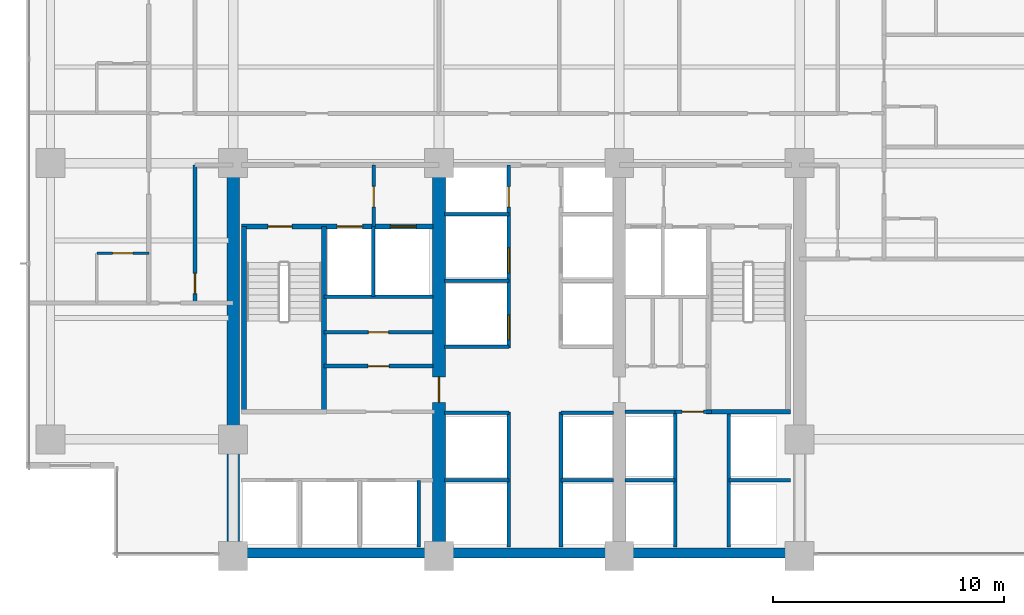
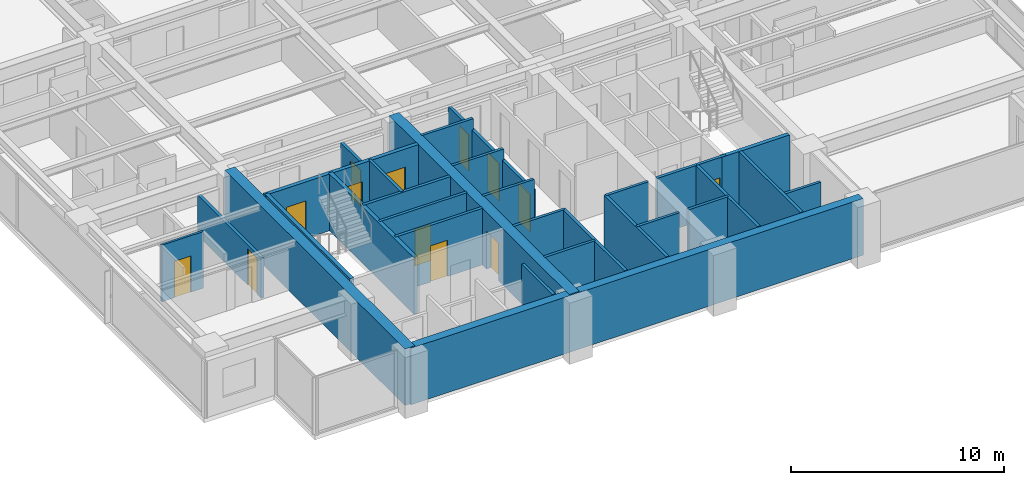
# One storey, part 8 of 17: 31 walls, 13 doors, 13 openings.
"""IFC4 building model written with IfcOpenShell, lengths in metres."""

from ifc_helpers import new_model, si_unit, direction, frame, frame_2d, origin, place, context, subcontext, project, spatial, rectangle, extrude, material, layer, layer_set, type_object, element, fill, save


model = new_model("IFC4")

# Units and contexts
model_context = context("Model", 3, precision=1e-05, world=origin(), true_north=direction((0.0, 1.0)))
body_context = subcontext(model_context, "Body", "Model", "MODEL_VIEW")
ifc_project = project(units=[si_unit("LENGTHUNIT", "METRE"), si_unit("AREAUNIT", "SQUARE_METRE"), si_unit("VOLUMEUNIT", "CUBIC_METRE"), si_unit("PLANEANGLEUNIT", "RADIAN"), si_unit("MASSUNIT", "GRAM", prefix="KILO")], contexts=[model_context])

# Site, building, storey
site_placement = place(None, origin())
site = spatial("IfcSite", under=ifc_project, at=site_placement, CompositionType="ELEMENT")
building_placement = place(site_placement, origin())
building = spatial("IfcBuilding", under=site, at=building_placement, Name="Qalmaran Belvedere Hotel", CompositionType="ELEMENT")
storey_placement = place(building_placement, frame((0.0, 0.0, 88.199951171875)))
storey = spatial("IfcBuildingStorey", under=building, at=storey_placement, Name="L21", CompositionType="ELEMENT", Elevation=88.199951171875)

# Wall
ifc_material_1 = material(Name="Concrete C60/75", Category="concrete")
ifc_layer_1 = layer(ifc_material_1, 0.550048828125, Name="Concrete C60/75")
ifc_layer_set_1 = layer_set([ifc_layer_1], Name="Concrete C60/75")
wall_type_1 = type_object("IfcWallType", Name="WL-CORE-550-C60", PredefinedType="SHEAR", material=ifc_layer_set_1)
wall_1_placement = place(storey_placement, frame((20.300048828125, 3.5, 0.0), z_axis=(0.0, 0.0, 1.0), x_axis=(0.0, 1.0, 0.0)))
element("IfcWall", 1, at=wall_1_placement, inside=storey, type_object=wall_type_1, Name="L21 West Core Shear Wall", PredefinedType="SHEAR", context=body_context, shape_type="SweptSolid", body=[
    extrude(rectangle(XDim=16.89990234375, YDim=0.550048828125, at=frame_2d((8.449951171875, 0.0))), origin(), (0.0, 0.0, 1.0), 3.239990234375),
])

# Wall, opening, door
wall_2_placement = place(storey_placement, frame((29.199951171875, 3.5, 0.0), z_axis=(0.0, 0.0, 1.0), x_axis=(0.0, 1.0, 0.0)))
wall_2 = element("IfcWall", 2, at=wall_2_placement, inside=storey, type_object=wall_type_1, Name="L21 Core West Spine Shear Wall", PredefinedType="SHEAR", context=body_context, shape_type="SweptSolid", body=[
    extrude(rectangle(XDim=16.89990234375, YDim=0.550048828125, at=frame_2d((8.449951171875, 0.0))), origin(), (0.0, 0.0, 1.0), 3.239990234375),
])
opening_1_placement = place(wall_2_placement, frame((7.75, 0.0, 0.0), z_axis=(0.0, 0.0, 1.0), x_axis=(-1.0, 0.0, 0.0)))
opening_1 = element("IfcOpeningElement", 3, at=opening_1_placement, cuts=wall_2, Name="Opening FD90", PredefinedType="OPENING", context=body_context, shape_type="SweptSolid", body=[
    extrude(rectangle(XDim=1.10009765625, YDim=2.14990234375, at=frame_2d((0.550048828125, 1.074951171875))), frame((0.0, 0.28515625, 0.0), z_axis=(0.0, -1.0, 0.0), x_axis=(1.0, 0.0, 0.0)), (0.0, 0.0, 1.0), 0.570068359375),
])
ifc_material_2 = material(Name="Steel S355JR", Category="steel")
door_type_1 = type_object("IfcDoorType", Name="DR-FD90-1100X2150", OperationType="NOTDEFINED", PredefinedType="DOOR", material=ifc_material_2)
door_1_placement = place(opening_1_placement, origin())
door_1 = element("IfcDoor", 4, at=door_1_placement, inside=storey, type_object=door_type_1, Name="L21 Core West Cross-Lobby Door", OperationType="SINGLE_SWING_LEFT", OverallHeight=2.14990234375, OverallWidth=1.10009765625, PredefinedType="DOOR", context=body_context, shape_type="SweptSolid", body=[
    extrude(rectangle(XDim=1.10009765625, YDim=2.14990234375, at=frame_2d((0.550048828125, 1.074951171875))), frame((0.0, 0.02490234375, 0.0), z_axis=(0.0, -1.0, 0.0), x_axis=(1.0, 0.0, 0.0)), (0.0, 0.0, 1.0), 0.050048828125),
])
fill(opening_1, door_1)

# Wall
ifc_material_3 = material(Name="Concrete C50/60", Category="concrete")
ifc_layer_2 = layer(ifc_material_3, 0.43994140625, Name="Concrete C50/60")
ifc_layer_set_2 = layer_set([ifc_layer_2], Name="Concrete C50/60")
wall_type_2 = type_object("IfcWallType", Name="WL-CORES-440-EXT", PredefinedType="SHEAR", material=ifc_layer_set_2)
wall_3_placement = place(storey_placement, frame((20.300048828125, 3.6298828125, 0.0), z_axis=(0.0, 0.0, 1.0), x_axis=(1.0, 0.0, 0.0)))
element("IfcWall", 5, at=wall_3_placement, inside=storey, type_object=wall_type_2, Name="L21 South Core Shear Wall", PredefinedType="SHEAR", context=body_context, shape_type="SweptSolid", body=[
    extrude(rectangle(XDim=24.5, YDim=0.43994140625, at=frame_2d((12.25, 0.0))), origin(), (0.0, 0.0, 1.0), 3.239990234375),
])

# Wall, opening, door
ifc_material_4 = material(Name="Moisture-Resistant Gypsum")
ifc_layer_3 = layer(ifc_material_4, 0.1201171875, Name="Moisture-Resistant Gypsum")
ifc_layer_set_3 = layer_set([ifc_layer_3], Name="Moisture-Resistant Gypsum")
wall_type_3 = type_object("IfcWallType", Name="WL-INT-120-BATH", PredefinedType="PARTITIONING", material=ifc_layer_set_3)
wall_4_placement = place(storey_placement, frame((14.39990234375, 16.60009765625, 0.0), z_axis=(0.0, 0.0, 1.0), x_axis=(1.0, 0.0, 0.0)))
wall_4 = element("IfcWall", 6, at=wall_4_placement, inside=storey, type_object=wall_type_3, Name="L21 Partition WL-L21-WBN00", PredefinedType="PARTITIONING", context=body_context, shape_type="SweptSolid", body=[
    extrude(rectangle(XDim=2.25, YDim=0.1201171875, at=frame_2d((1.125, 0.0))), origin(), (0.0, 0.0, 1.0), 3.239990234375),
])
opening_2_placement = place(wall_4_placement, frame((1.56494140625, 0.0, 0.0), z_axis=(0.0, 0.0, 1.0), x_axis=(-1.0, 0.0, 0.0)))
opening_2 = element("IfcOpeningElement", 7, at=opening_2_placement, cuts=wall_4, Name="Opening D-BATH", PredefinedType="OPENING", context=body_context, shape_type="SweptSolid", body=[
    extrude(rectangle(XDim=0.8798828125, YDim=2.080078125, at=frame_2d((0.43994140625, 1.0400390625))), frame((0.0, 0.070068359375, 0.0), z_axis=(0.0, -1.0, 0.0), x_axis=(1.0, 0.0, 0.0)), (0.0, 0.0, 1.0), 0.14013671875),
])
ifc_material_5 = material(Name="Engineered Oak Veneer")
door_type_2 = type_object("IfcDoorType", Name="DR-INT-BATH-880X2080", OperationType="NOTDEFINED", PredefinedType="DOOR", material=ifc_material_5)
door_2_placement = place(opening_2_placement, origin())
door_2 = element("IfcDoor", 8, at=door_2_placement, inside=storey, type_object=door_type_2, Name="L21 W Ensuite Door 01", OperationType="SINGLE_SWING_LEFT", OverallHeight=2.080078125, OverallWidth=0.8798828125, PredefinedType="DOOR", context=body_context, shape_type="SweptSolid", body=[
    extrude(rectangle(XDim=0.8798828125, YDim=2.080078125, at=frame_2d((0.43994140625, 1.0400390625))), frame((0.0, 0.02490234375, 0.0), z_axis=(0.0, -1.0, 0.0), x_axis=(1.0, 0.0, 0.0)), (0.0, 0.0, 1.0), 0.050048828125),
])
fill(opening_2, door_2)

# Walls
ifc_material_6 = material(Name="Gypsum Stud Partition")
ifc_layer_4 = layer(ifc_material_6, 0.14990234375, Name="Gypsum Stud Partition")
ifc_layer_set_4 = layer_set([ifc_layer_4], Name="Gypsum Stud Partition")
wall_type_4 = type_object("IfcWallType", Name="WL-INT-150-EI120", PredefinedType="PARTITIONING", material=ifc_layer_set_4)
wall_5_placement = place(storey_placement, frame((26.360107421875, 14.719970703125, 0.0), z_axis=(0.0, 0.0, 1.0), x_axis=(0.0, 1.0, 0.0)))
element("IfcWall", 9, at=wall_5_placement, inside=storey, type_object=wall_type_4, Name="L21 Partition WL-FF1M-L21", PredefinedType="PARTITIONING", context=body_context, shape_type="SweptSolid", body=[
    extrude(rectangle(XDim=3.0400390625, YDim=0.14990234375, at=frame_2d((1.52001953125, 0.0))), origin(), (0.0, 0.0, 1.0), 3.239990234375),
])
wall_6_placement = place(storey_placement, frame((28.320068359375, 3.89990234375, 0.0), z_axis=(0.0, 0.0, 1.0), x_axis=(0.0, 1.0, 0.0)))
element("IfcWall", 10, at=wall_6_placement, inside=storey, type_object=wall_type_4, Name="L21 Partition WL-POM3-L21", PredefinedType="PARTITIONING", context=body_context, shape_type="SweptSolid", body=[
    extrude(rectangle(XDim=2.880126953125, YDim=0.14990234375, at=frame_2d((1.43994140625, 0.0))), origin(), (0.0, 0.0, 1.0), 3.239990234375),
])
wall_7_placement = place(storey_placement, frame((37.25, 6.780029296875, 0.0), z_axis=(0.0, 0.0, 1.0), x_axis=(1.0, 0.0, 0.0)))
element("IfcWall", 11, at=wall_7_placement, inside=storey, type_object=wall_type_4, Name="L21 Partition WL-PHMW-L21", PredefinedType="PARTITIONING", context=body_context, shape_type="SweptSolid", body=[
    extrude(rectangle(XDim=2.169921875, YDim=0.14990234375, at=frame_2d((1.0849609375, 0.0))), origin(), (0.0, 0.0, 1.0), 3.239990234375),
])
wall_8_placement = place(storey_placement, frame((41.739990234375, 6.780029296875, 0.0), z_axis=(0.0, 0.0, 1.0), x_axis=(1.0, 0.0, 0.0)))
element("IfcWall", 12, at=wall_8_placement, inside=storey, type_object=wall_type_4, Name="L21 Partition WL-PHME-L21", PredefinedType="PARTITIONING", context=body_context, shape_type="SweptSolid", body=[
    extrude(rectangle(XDim=2.659912109375, YDim=0.14990234375, at=frame_2d((1.330078125, 0.0))), origin(), (0.0, 0.0, 1.0), 2.31298828125),
])
wall_9_placement = place(storey_placement, frame((29.449951171875, 6.780029296875, 0.0), z_axis=(0.0, 0.0, 1.0), x_axis=(1.0, 0.0, 0.0)))
element("IfcWall", 13, at=wall_9_placement, inside=storey, type_object=wall_type_4, Name="L21 Partition WL-PLW-L21-67", PredefinedType="PARTITIONING", context=body_context, shape_type="SweptSolid", body=[
    extrude(rectangle(XDim=2.77001953125, YDim=0.14990234375, at=frame_2d((1.385009765625, 0.0))), origin(), (0.0, 0.0, 1.0), 3.239990234375),
])
wall_10_placement = place(storey_placement, frame((34.47998046875, 6.780029296875, 0.0), z_axis=(0.0, 0.0, 1.0), x_axis=(1.0, 0.0, 0.0)))
element("IfcWall", 14, at=wall_10_placement, inside=storey, type_object=wall_type_4, Name="L21 Partition WL-PLE-L21-67", PredefinedType="PARTITIONING", context=body_context, shape_type="SweptSolid", body=[
    extrude(rectangle(XDim=2.27001953125, YDim=0.14990234375, at=frame_2d((1.135009765625, 0.0))), origin(), (0.0, 0.0, 1.0), 3.239990234375),
])
wall_11_placement = place(storey_placement, frame((29.449951171875, 9.699951171875, 0.0), z_axis=(0.0, 0.0, 1.0), x_axis=(1.0, 0.0, 0.0)))
element("IfcWall", 15, at=wall_11_placement, inside=storey, type_object=wall_type_4, Name="L21 Partition WL-PLW-L21-97", PredefinedType="PARTITIONING", context=body_context, shape_type="SweptSolid", body=[
    extrude(rectangle(XDim=2.77001953125, YDim=0.14990234375, at=frame_2d((1.385009765625, 0.0))), origin(), (0.0, 0.0, 1.0), 3.239990234375),
])
wall_12_placement = place(storey_placement, frame((34.47998046875, 9.699951171875, 0.0), z_axis=(0.0, 0.0, 1.0), x_axis=(1.0, 0.0, 0.0)))
element("IfcWall", 16, at=wall_12_placement, inside=storey, type_object=wall_type_4, Name="L21 Partition WL-PLE-L21-97", PredefinedType="PARTITIONING", context=body_context, shape_type="SweptSolid", body=[
    extrude(rectangle(XDim=2.27001953125, YDim=0.14990234375, at=frame_2d((1.135009765625, 0.0))), origin(), (0.0, 0.0, 1.0), 3.239990234375),
])
for number, where, z_axis, x_axis, name in (
    (17, (29.449951171875, 12.550048828125, 0.0), (0.0, 0.0, 1.0), (1.0, 0.0, 0.0), "L21 Partition WL-PMW-L21-125"),
    (18, (29.449951171875, 15.419921875, 0.0), (0.0, 0.0, 1.0), (1.0, 0.0, 0.0), "L21 Partition WL-PMW-L21-154"),
    (19, (29.449951171875, 18.280029296875, 0.0), (0.0, 0.0, 1.0), (1.0, 0.0, 0.0), "L21 Partition WL-PMW-L21-182"),
):
    element("IfcWall", number, at=place(storey_placement, frame(where, z_axis=z_axis, x_axis=x_axis)), inside=storey, type_object=wall_type_4, Name=name, PredefinedType="PARTITIONING", context=body_context, shape_type="SweptSolid", body=[
        extrude(rectangle(XDim=2.77001953125, YDim=0.14990234375, at=frame_2d((1.385009765625, 0.0))), origin(), (0.0, 0.0, 1.0), 3.239990234375),
    ])

# Wall, opening, door
ifc_layer_5 = layer(ifc_material_6, 0.14990234375, Name="Gypsum Stud Partition")
ifc_layer_set_5 = layer_set([ifc_layer_5], Name="Gypsum Stud Partition")
wall_type_5 = type_object("IfcWallType", Name="WL-INT-150-EI60", PredefinedType="PARTITIONING", material=ifc_layer_set_5)
wall_13_placement = place(storey_placement, frame((24.219970703125, 13.18505859375, 0.0), z_axis=(0.0, 0.0, 1.0), x_axis=(1.0, 0.0, 0.0)))
wall_13 = element("IfcWall", 20, at=wall_13_placement, inside=storey, type_object=wall_type_5, Name="L21 Partition WL-L21-KWHM", PredefinedType="PARTITIONING", context=body_context, shape_type="SweptSolid", body=[
    extrude(rectangle(XDim=4.72998046875, YDim=0.14990234375, at=frame_2d((2.364990234375, 0.0))), origin(), (0.0, 0.0, 1.0), 3.239990234375),
])
opening_3_placement = place(wall_13_placement, frame((1.925048828125, 0.0, 0.0)))
opening_3 = element("IfcOpeningElement", 21, at=opening_3_placement, cuts=wall_13, Name="Opening FD60B", PredefinedType="OPENING", context=body_context, shape_type="SweptSolid", body=[
    extrude(rectangle(XDim=0.8798828125, YDim=2.080078125, at=frame_2d((0.43994140625, 1.0400390625))), frame((0.0, 0.0849609375, 0.0), z_axis=(0.0, -1.0, 0.0), x_axis=(1.0, 0.0, 0.0)), (0.0, 0.0, 1.0), 0.169921875),
])
door_type_3 = type_object("IfcDoorType", Name="DR-FD60B-880X2080", OperationType="NOTDEFINED", PredefinedType="DOOR", material=ifc_material_2)
door_3_placement = place(opening_3_placement, origin())
door_3 = element("IfcDoor", 22, at=door_3_placement, inside=storey, type_object=door_type_3, Name="L21 Staff Core WC Door", OperationType="SINGLE_SWING_LEFT", OverallHeight=2.080078125, OverallWidth=0.8798828125, PredefinedType="DOOR", context=body_context, shape_type="SweptSolid", body=[
    extrude(rectangle(XDim=0.8798828125, YDim=2.080078125, at=frame_2d((0.43994140625, 1.0400390625))), frame((0.0, 0.02490234375, 0.0), z_axis=(0.0, -1.0, 0.0), x_axis=(1.0, 0.0, 0.0)), (0.0, 0.0, 1.0), 0.050048828125),
])
fill(opening_3, door_3)

ifc_layer_6 = layer(ifc_material_6, 0.159912109375, Name="Gypsum Stud Partition")
ifc_layer_set_6 = layer_set([ifc_layer_6], Name="Gypsum Stud Partition")
wall_type_6 = type_object("IfcWallType", Name="WL-INT-160-EI120", PredefinedType="PARTITIONING", material=ifc_layer_set_6)
wall_14_placement = place(storey_placement, frame((26.3798828125, 17.760009765625, 0.0), z_axis=(0.0, 0.0, 1.0), x_axis=(0.0, 1.0, 0.0)))
wall_14 = element("IfcWall", 23, at=wall_14_placement, inside=storey, type_object=wall_type_6, Name="L21 Partition WL-FFSV1-L21", PredefinedType="PARTITIONING", context=body_context, shape_type="SweptSolid", body=[
    extrude(rectangle(XDim=2.659912109375, YDim=0.159912109375, at=frame_2d((1.330078125, 0.0))), origin(), (0.0, 0.0, 1.0), 2.614013671875),
])
opening_4_placement = place(wall_14_placement, frame((0.85009765625, 0.0, 0.0)))
opening_4 = element("IfcOpeningElement", 24, at=opening_4_placement, cuts=wall_14, Name="Opening FD60B", PredefinedType="OPENING", context=body_context, shape_type="SweptSolid", body=[
    extrude(rectangle(XDim=0.8798828125, YDim=2.080078125, at=frame_2d((0.43994140625, 1.0400390625))), frame((0.0, 0.08984375, 0.0), z_axis=(0.0, -1.0, 0.0), x_axis=(1.0, 0.0, 0.0)), (0.0, 0.0, 1.0), 0.179931640625),
])
door_4_placement = place(opening_4_placement, origin())
door_4 = element("IfcDoor", 25, at=door_4_placement, inside=storey, type_object=door_type_3, Name="L21 Service Lobby West Door", OperationType="SINGLE_SWING_LEFT", OverallHeight=2.080078125, OverallWidth=0.8798828125, PredefinedType="DOOR", context=body_context, shape_type="SweptSolid", body=[
    extrude(rectangle(XDim=0.8798828125, YDim=2.080078125, at=frame_2d((0.43994140625, 1.0400390625))), frame((0.0, 0.02490234375, 0.0), z_axis=(0.0, -1.0, 0.0), x_axis=(1.0, 0.0, 0.0)), (0.0, 0.0, 1.0), 0.050048828125),
])
fill(opening_4, door_4)

# Walls
wall_15_placement = place(storey_placement, frame((24.219970703125, 14.719970703125, 0.0), z_axis=(0.0, 0.0, 1.0), x_axis=(1.0, 0.0, 0.0)))
element("IfcWall", 26, at=wall_15_placement, inside=storey, type_object=wall_type_6, Name="L21 Partition WL-FF1S-L21", PredefinedType="PARTITIONING", context=body_context, shape_type="SweptSolid", body=[
    extrude(rectangle(XDim=4.72998046875, YDim=0.159912109375, at=frame_2d((2.364990234375, 0.0))), origin(), (0.0, 0.0, 1.0), 3.239990234375),
])
for number, where, z_axis, x_axis, name in (
    (27, (39.419921875, 3.89990234375, 0.0), (0.0, 0.0, 1.0), (0.0, 1.0, 0.0), "L21 Partition WL-PHW-L21"),
    (28, (41.739990234375, 3.89990234375, 0.0), (0.0, 0.0, 1.0), (0.0, 1.0, 0.0), "L21 Partition WL-PHE-L21"),
):
    element("IfcWall", number, at=place(storey_placement, frame(where, z_axis=z_axis, x_axis=x_axis)), inside=storey, type_object=wall_type_6, Name=name, PredefinedType="PARTITIONING", context=body_context, shape_type="SweptSolid", body=[
        extrude(rectangle(XDim=5.840087890625, YDim=0.159912109375, at=frame_2d((2.919921875, 0.0))), origin(), (0.0, 0.0, 1.0), 3.239990234375),
    ])
wall_16_placement = place(storey_placement, frame((37.25, 9.739990234375, 0.0), z_axis=(0.0, 0.0, 1.0), x_axis=(1.0, 0.0, 0.0)))
element("IfcWall", 29, at=wall_16_placement, inside=storey, type_object=wall_type_6, Name="L21 Partition WL-PHNW-L21", PredefinedType="PARTITIONING", context=body_context, shape_type="SweptSolid", body=[
    extrude(rectangle(XDim=2.169921875, YDim=0.159912109375, at=frame_2d((1.0849609375, 0.0))), origin(), (0.0, 0.0, 1.0), 3.239990234375),
])

# Wall, opening, door
wall_17_placement = place(storey_placement, frame((39.419921875, 9.739990234375, 0.0), z_axis=(0.0, 0.0, 1.0), x_axis=(1.0, 0.0, 0.0)))
wall_17 = element("IfcWall", 30, at=wall_17_placement, inside=storey, type_object=wall_type_6, Name="L21 Partition WL-PHNL-L21", PredefinedType="PARTITIONING", context=body_context, shape_type="SweptSolid", body=[
    extrude(rectangle(XDim=1.56005859375, YDim=0.159912109375, at=frame_2d((0.780029296875, 0.0))), origin(), (0.0, 0.0, 1.0), 3.239990234375),
])
opening_5_placement = place(wall_17_placement, frame((0.300048828125, 0.0, 0.0)))
opening_5 = element("IfcOpeningElement", 31, at=opening_5_placement, cuts=wall_17, Name="Opening FD60S1", PredefinedType="OPENING", context=body_context, shape_type="SweptSolid", body=[
    extrude(rectangle(XDim=0.919921875, YDim=2.080078125, at=frame_2d((0.4599609375, 1.0400390625))), frame((0.0, 0.08984375, 0.0), z_axis=(0.0, -1.0, 0.0), x_axis=(1.0, 0.0, 0.0)), (0.0, 0.0, 1.0), 0.179931640625),
])
door_type_4 = type_object("IfcDoorType", Name="DR-FD60S-920X2080", OperationType="NOTDEFINED", PredefinedType="DOOR", material=ifc_material_5)
door_5_placement = place(opening_5_placement, origin())
door_5 = element("IfcDoor", 32, at=door_5_placement, inside=storey, type_object=door_type_4, Name="L21 High-Rise Lift Lobby Passage Door", OperationType="SINGLE_SWING_RIGHT", OverallHeight=2.080078125, OverallWidth=0.919921875, PredefinedType="DOOR", context=body_context, shape_type="SweptSolid", body=[
    extrude(rectangle(XDim=0.919921875, YDim=2.080078125, at=frame_2d((0.4599609375, 1.0400390625))), frame((0.0, 0.02490234375, 0.0), z_axis=(0.0, -1.0, 0.0), x_axis=(1.0, 0.0, 0.0)), (0.0, 0.0, 1.0), 0.050048828125),
])
fill(opening_5, door_5)

# Walls
for number, where, z_axis, x_axis, name in (
    (33, (32.219970703125, 3.89990234375, 0.0), (0.0, 0.0, 1.0), (0.0, 1.0, 0.0), "L21 Partition WL-CLBWS-L21"),
    (34, (34.47998046875, 3.89990234375, 0.0), (0.0, 0.0, 1.0), (0.0, 1.0, 0.0), "L21 Partition WL-CLBES-L21"),
):
    element("IfcWall", number, at=place(storey_placement, frame(where, z_axis=z_axis, x_axis=x_axis)), inside=storey, type_object=wall_type_6, Name=name, PredefinedType="PARTITIONING", context=body_context, shape_type="SweptSolid", body=[
        extrude(rectangle(XDim=5.840087890625, YDim=0.159912109375, at=frame_2d((2.919921875, 0.0))), origin(), (0.0, 0.0, 1.0), 3.239990234375),
    ])

# Wall, openings, doors
wall_18_placement = place(storey_placement, frame((32.219970703125, 12.5, 0.0), z_axis=(0.0, 0.0, 1.0), x_axis=(0.0, 1.0, 0.0)))
wall_18 = element("IfcWall", 35, at=wall_18_placement, inside=storey, type_object=wall_type_6, Name="L21 Partition WL-CLBWN-L21", PredefinedType="PARTITIONING", context=body_context, shape_type="SweptSolid", body=[
    extrude(rectangle(XDim=7.919921875, YDim=0.159912109375, at=frame_2d((3.9599609375, 0.0))), origin(), (0.0, 0.0, 1.0), 2.614013671875),
])
opening_6_placement = place(wall_18_placement, frame((1.43017578125, 0.0, 0.0), z_axis=(0.0, 0.0, 1.0), x_axis=(-1.0, 0.0, 0.0)))
opening_6 = element("IfcOpeningElement", 36, at=opening_6_placement, cuts=wall_18, Name="Opening LD-P1", PredefinedType="OPENING", context=body_context, shape_type="SweptSolid", body=[
    extrude(rectangle(XDim=1.080078125, YDim=2.159912109375, at=frame_2d((0.5400390625, 1.080078125))), frame((0.0, 0.08984375, 0.0), z_axis=(0.0, -1.0, 0.0), x_axis=(1.0, 0.0, 0.0)), (0.0, 0.0, 1.0), 0.179931640625),
])
opening_7_placement = place(wall_18_placement, frame((4.330078125, 0.0, 0.0), z_axis=(0.0, 0.0, 1.0), x_axis=(-1.0, 0.0, 0.0)))
opening_7 = element("IfcOpeningElement", 37, at=opening_7_placement, cuts=wall_18, Name="Opening LD-P1", PredefinedType="OPENING", context=body_context, shape_type="SweptSolid", body=[
    extrude(rectangle(XDim=1.080078125, YDim=2.159912109375, at=frame_2d((0.5400390625, 1.080078125))), frame((0.0, 0.08984375, 0.0), z_axis=(0.0, -1.0, 0.0), x_axis=(1.0, 0.0, 0.0)), (0.0, 0.0, 1.0), 0.179931640625),
])
opening_8_placement = place(wall_18_placement, frame((6.10009765625, 0.0, 0.0)))
opening_8 = element("IfcOpeningElement", 38, at=opening_8_placement, cuts=wall_18, Name="Opening FD60B", PredefinedType="OPENING", context=body_context, shape_type="SweptSolid", body=[
    extrude(rectangle(XDim=0.8798828125, YDim=2.080078125, at=frame_2d((0.43994140625, 1.0400390625))), frame((0.0, 0.08984375, 0.0), z_axis=(0.0, -1.0, 0.0), x_axis=(1.0, 0.0, 0.0)), (0.0, 0.0, 1.0), 0.179931640625),
])
door_6_placement = place(opening_8_placement, origin())
door_6 = element("IfcDoor", 39, at=door_6_placement, inside=storey, type_object=door_type_3, Name="L21 West Riser Access Door", OperationType="SINGLE_SWING_LEFT", OverallHeight=2.080078125, OverallWidth=0.8798828125, PredefinedType="DOOR", context=body_context, shape_type="SweptSolid", body=[
    extrude(rectangle(XDim=0.8798828125, YDim=2.080078125, at=frame_2d((0.43994140625, 1.0400390625))), frame((0.0, 0.02490234375, 0.0), z_axis=(0.0, -1.0, 0.0), x_axis=(1.0, 0.0, 0.0)), (0.0, 0.0, 1.0), 0.050048828125),
])
fill(opening_8, door_6)
ifc_material_7 = material(Name="Stainless Steel 1.4401", Category="steel")
door_type_5 = type_object("IfcDoorType", Name="DR-LIFT-P1-1080X2160", OperationType="DOUBLE_DOOR_SLIDING", PredefinedType="DOOR", material=ifc_material_7)
door_7_placement = place(opening_6_placement, origin())
door_7 = element("IfcDoor", 40, at=door_7_placement, inside=storey, type_object=door_type_5, Name="L21 PM1 Lift Landing Door", OperationType="DOUBLE_DOOR_SLIDING", OverallHeight=2.159912109375, OverallWidth=1.080078125, PredefinedType="DOOR", context=body_context, shape_type="SweptSolid", body=[
    extrude(rectangle(XDim=1.080078125, YDim=2.159912109375, at=frame_2d((0.5400390625, 1.080078125))), frame((0.0, 0.02490234375, 0.0), z_axis=(0.0, -1.0, 0.0), x_axis=(1.0, 0.0, 0.0)), (0.0, 0.0, 1.0), 0.050048828125),
])
fill(opening_6, door_7)
door_8_placement = place(opening_7_placement, origin())
door_8 = element("IfcDoor", 41, at=door_8_placement, inside=storey, type_object=door_type_5, Name="L21 PM2 Lift Landing Door", OperationType="DOUBLE_DOOR_SLIDING", OverallHeight=2.159912109375, OverallWidth=1.080078125, PredefinedType="DOOR", context=body_context, shape_type="SweptSolid", body=[
    extrude(rectangle(XDim=1.080078125, YDim=2.159912109375, at=frame_2d((0.5400390625, 1.080078125))), frame((0.0, 0.02490234375, 0.0), z_axis=(0.0, -1.0, 0.0), x_axis=(1.0, 0.0, 0.0)), (0.0, 0.0, 1.0), 0.050048828125),
])
fill(opening_7, door_8)

# Wall, opening, door
ifc_layer_7 = layer(ifc_material_6, 0.159912109375, Name="Gypsum Stud Partition")
ifc_layer_set_7 = layer_set([ifc_layer_7], Name="Gypsum Stud Partition")
wall_type_7 = type_object("IfcWallType", Name="WL-INT-160-EI60", PredefinedType="PARTITIONING", material=ifc_layer_set_7)
wall_19_placement = place(storey_placement, frame((24.219970703125, 11.719970703125, 0.0), z_axis=(0.0, 0.0, 1.0), x_axis=(1.0, 0.0, 0.0)))
wall_19 = element("IfcWall", 42, at=wall_19_placement, inside=storey, type_object=wall_type_7, Name="L21 Partition WL-L21-KWE1", PredefinedType="PARTITIONING", context=body_context, shape_type="SweptSolid", body=[
    extrude(rectangle(XDim=4.72998046875, YDim=0.159912109375, at=frame_2d((2.364990234375, 0.0))), origin(), (0.0, 0.0, 1.0), 3.239990234375),
])
opening_9_placement = place(wall_19_placement, frame((1.905029296875, 0.0, 0.0)))
opening_9 = element("IfcOpeningElement", 43, at=opening_9_placement, cuts=wall_19, Name="Opening FD60S1", PredefinedType="OPENING", context=body_context, shape_type="SweptSolid", body=[
    extrude(rectangle(XDim=0.919921875, YDim=2.080078125, at=frame_2d((0.4599609375, 1.0400390625))), frame((0.0, 0.08984375, 0.0), z_axis=(0.0, -1.0, 0.0), x_axis=(1.0, 0.0, 0.0)), (0.0, 0.0, 1.0), 0.179931640625),
])
door_9_placement = place(opening_9_placement, origin())
door_9 = element("IfcDoor", 44, at=door_9_placement, inside=storey, type_object=door_type_4, Name="L21 Cleaner Supply Store Door", OperationType="SINGLE_SWING_RIGHT", OverallHeight=2.080078125, OverallWidth=0.919921875, PredefinedType="DOOR", context=body_context, shape_type="SweptSolid", body=[
    extrude(rectangle(XDim=0.919921875, YDim=2.080078125, at=frame_2d((0.4599609375, 1.0400390625))), frame((0.0, 0.02490234375, 0.0), z_axis=(0.0, -1.0, 0.0), x_axis=(1.0, 0.0, 0.0)), (0.0, 0.0, 1.0), 0.050048828125),
])
fill(opening_9, door_9)

wall_20_placement = place(storey_placement, frame((18.64990234375, 14.449951171875, 0.0), z_axis=(0.0, 0.0, 1.0), x_axis=(0.0, 1.0, 0.0)))
wall_20 = element("IfcWall", 45, at=wall_20_placement, inside=storey, type_object=wall_type_7, Name="L21 Partition WL-L21-WCL", PredefinedType="PARTITIONING", context=body_context, shape_type="SweptSolid", body=[
    extrude(rectangle(XDim=5.969970703125, YDim=0.159912109375, at=frame_2d((2.98486328125, 0.0))), origin(), (0.0, 0.0, 1.0), 2.31298828125),
])
opening_10_placement = place(wall_20_placement, frame((1.27978515625, 0.0, 0.0), z_axis=(0.0, 0.0, 1.0), x_axis=(-1.0, 0.0, 0.0)))
opening_10 = element("IfcOpeningElement", 46, at=opening_10_placement, cuts=wall_20, Name="Opening FD60B", PredefinedType="OPENING", context=body_context, shape_type="SweptSolid", body=[
    extrude(rectangle(XDim=0.8798828125, YDim=2.080078125, at=frame_2d((0.43994140625, 1.0400390625))), frame((0.0, 0.08984375, 0.0), z_axis=(0.0, -1.0, 0.0), x_axis=(1.0, 0.0, 0.0)), (0.0, 0.0, 1.0), 0.179931640625),
])
door_10_placement = place(opening_10_placement, origin())
door_10 = element("IfcDoor", 47, at=door_10_placement, inside=storey, type_object=door_type_3, Name="L21 West Closet Door", OperationType="SINGLE_SWING_LEFT", OverallHeight=2.080078125, OverallWidth=0.8798828125, PredefinedType="DOOR", context=body_context, shape_type="SweptSolid", body=[
    extrude(rectangle(XDim=0.8798828125, YDim=2.080078125, at=frame_2d((0.43994140625, 1.0400390625))), frame((0.0, 0.02490234375, 0.0), z_axis=(0.0, -1.0, 0.0), x_axis=(1.0, 0.0, 0.0)), (0.0, 0.0, 1.0), 0.050048828125),
])
fill(opening_10, door_10)

# Walls
ifc_layer_8 = layer(ifc_material_3, 0.2099609375, Name="Concrete C50/60")
ifc_layer_set_8 = layer_set([ifc_layer_8], Name="Concrete C50/60")
wall_type_8 = type_object("IfcWallType", Name="WL-STAIR-210-C50", PredefinedType="SHEAR", material=ifc_layer_set_8)
for number, where, z_axis, x_axis, name in (
    (48, (20.77490234375, 9.7451171875, 0.0), (0.0, 0.0, 1.0), (0.0, 1.0, 0.0), "L21 Stair ST-1 West Bearing Wall"),
    (49, (24.22509765625, 9.7451171875, 0.0), (0.0, 0.0, 1.0), (0.0, 1.0, 0.0), "L21 Stair ST-1 East Bearing Wall"),
):
    element("IfcWall", number, at=place(storey_placement, frame(where, z_axis=z_axis, x_axis=x_axis)), inside=storey, type_object=wall_type_8, Name=name, PredefinedType="SHEAR", context=body_context, shape_type="SweptSolid", body=[
        extrude(rectangle(XDim=8.009765625, YDim=0.2099609375, at=frame_2d((4.0048828125, 0.0))), origin(), (0.0, 0.0, 1.0), 3.239990234375),
    ])

# Wall, openings, doors
wall_21_placement = place(storey_placement, frame((20.64990234375, 17.7548828125, 0.0), z_axis=(0.0, 0.0, 1.0), x_axis=(1.0, 0.0, 0.0)))
wall_21 = element("IfcWall", 50, at=wall_21_placement, inside=storey, type_object=wall_type_8, Name="L21 West Lobby and Stair ST-1 North Bearing Wall", PredefinedType="SHEAR", context=body_context, shape_type="SweptSolid", body=[
    extrude(rectangle(XDim=8.300048828125, YDim=0.2099609375, at=frame_2d((4.14990234375, 0.0))), origin(), (0.0, 0.0, 1.0), 3.239990234375),
])
opening_11_placement = place(wall_21_placement, frame((2.199951171875, 0.0, 0.0), z_axis=(0.0, 0.0, 1.0), x_axis=(-1.0, 0.0, 0.0)))
opening_11 = element("IfcOpeningElement", 51, at=opening_11_placement, cuts=wall_21, Name="Opening FD90S2", PredefinedType="OPENING", context=body_context, shape_type="SweptSolid", body=[
    extrude(rectangle(XDim=1.050048828125, YDim=2.14990234375, at=frame_2d((0.52490234375, 1.074951171875))), frame((0.0, 0.114990234375, 0.0), z_axis=(0.0, -1.0, 0.0), x_axis=(1.0, 0.0, 0.0)), (0.0, 0.0, 1.0), 0.22998046875),
])
opening_12_placement = place(wall_21_placement, frame((4.14990234375, 0.0, 0.0)))
opening_12 = element("IfcOpeningElement", 52, at=opening_12_placement, cuts=wall_21, Name="Opening LD-FF", PredefinedType="OPENING", context=body_context, shape_type="SweptSolid", body=[
    extrude(rectangle(XDim=1.10009765625, YDim=2.179931640625, at=frame_2d((0.550048828125, 1.08984375))), frame((0.0, 0.114990234375, 0.0), z_axis=(0.0, -1.0, 0.0), x_axis=(1.0, 0.0, 0.0)), (0.0, 0.0, 1.0), 0.22998046875),
])
opening_13_placement = place(wall_21_placement, frame((6.449951171875, 0.0, 0.0)))
opening_13 = element("IfcOpeningElement", 53, at=opening_13_placement, cuts=wall_21, Name="Opening LD-SV", PredefinedType="OPENING", context=body_context, shape_type="SweptSolid", body=[
    extrude(rectangle(XDim=1.1201171875, YDim=2.199951171875, at=frame_2d((0.56005859375, 1.10009765625))), frame((0.0, 0.114990234375, 0.0), z_axis=(0.0, -1.0, 0.0), x_axis=(1.0, 0.0, 0.0)), (0.0, 0.0, 1.0), 0.22998046875),
])
door_type_6 = type_object("IfcDoorType", Name="DR-FD90S-1050X2150", OperationType="NOTDEFINED", PredefinedType="DOOR", material=ifc_material_2)
door_11_placement = place(opening_11_placement, origin())
door_11 = element("IfcDoor", 54, at=door_11_placement, inside=storey, type_object=door_type_6, Name="L21 Stair ST-1 Door", OperationType="SINGLE_SWING_LEFT", OverallHeight=2.14990234375, OverallWidth=1.050048828125, PredefinedType="DOOR", context=body_context, shape_type="SweptSolid", body=[
    extrude(rectangle(XDim=1.050048828125, YDim=2.14990234375, at=frame_2d((0.52490234375, 1.074951171875))), frame((0.0, 0.02490234375, 0.0), z_axis=(0.0, -1.0, 0.0), x_axis=(1.0, 0.0, 0.0)), (0.0, 0.0, 1.0), 0.050048828125),
])
fill(opening_11, door_11)
door_type_7 = type_object("IfcDoorType", Name="DR-LIFT-FF-1100X2180", OperationType="DOUBLE_DOOR_SLIDING", PredefinedType="DOOR", material=ifc_material_7)
door_12_placement = place(opening_12_placement, origin())
door_12 = element("IfcDoor", 55, at=door_12_placement, inside=storey, type_object=door_type_7, Name="L21 FF1 Lift Landing Door", OperationType="DOUBLE_DOOR_SLIDING", OverallHeight=2.179931640625, OverallWidth=1.10009765625, PredefinedType="DOOR", context=body_context, shape_type="SweptSolid", body=[
    extrude(rectangle(XDim=1.10009765625, YDim=2.179931640625, at=frame_2d((0.550048828125, 1.08984375))), frame((0.0, 0.02490234375, 0.0), z_axis=(0.0, -1.0, 0.0), x_axis=(1.0, 0.0, 0.0)), (0.0, 0.0, 1.0), 0.050048828125),
])
fill(opening_12, door_12)
door_type_8 = type_object("IfcDoorType", Name="DR-LIFT-SV-1120X2200", OperationType="DOUBLE_DOOR_SLIDING", PredefinedType="DOOR", material=ifc_material_7)
door_13_placement = place(opening_13_placement, origin())
door_13 = element("IfcDoor", 56, at=door_13_placement, inside=storey, type_object=door_type_8, Name="L21 SV1 Lift Landing Door", OperationType="DOUBLE_DOOR_SLIDING", OverallHeight=2.199951171875, OverallWidth=1.1201171875, PredefinedType="DOOR", context=body_context, shape_type="SweptSolid", body=[
    extrude(rectangle(XDim=1.1201171875, YDim=2.199951171875, at=frame_2d((0.56005859375, 1.10009765625))), frame((0.0, 0.02490234375, 0.0), z_axis=(0.0, -1.0, 0.0), x_axis=(1.0, 0.0, 0.0)), (0.0, 0.0, 1.0), 0.050048828125),
])
fill(opening_13, door_13)

# Wall
wall_22_placement = place(storey_placement, frame((40.75, 9.7451171875, 0.0), z_axis=(0.0, 0.0, 1.0), x_axis=(1.0, 0.0, 0.0)))
element("IfcWall", 57, at=wall_22_placement, inside=storey, type_object=wall_type_8, Name="L21 Stair ST-2 South Bearing Wall", PredefinedType="SHEAR", context=body_context, shape_type="SweptSolid", body=[
    extrude(rectangle(XDim=3.659912109375, YDim=0.2099609375, at=frame_2d((1.830078125, 0.0))), origin(), (0.0, 0.0, 1.0), 3.239990234375),
])

save(model, "model.ifc")
